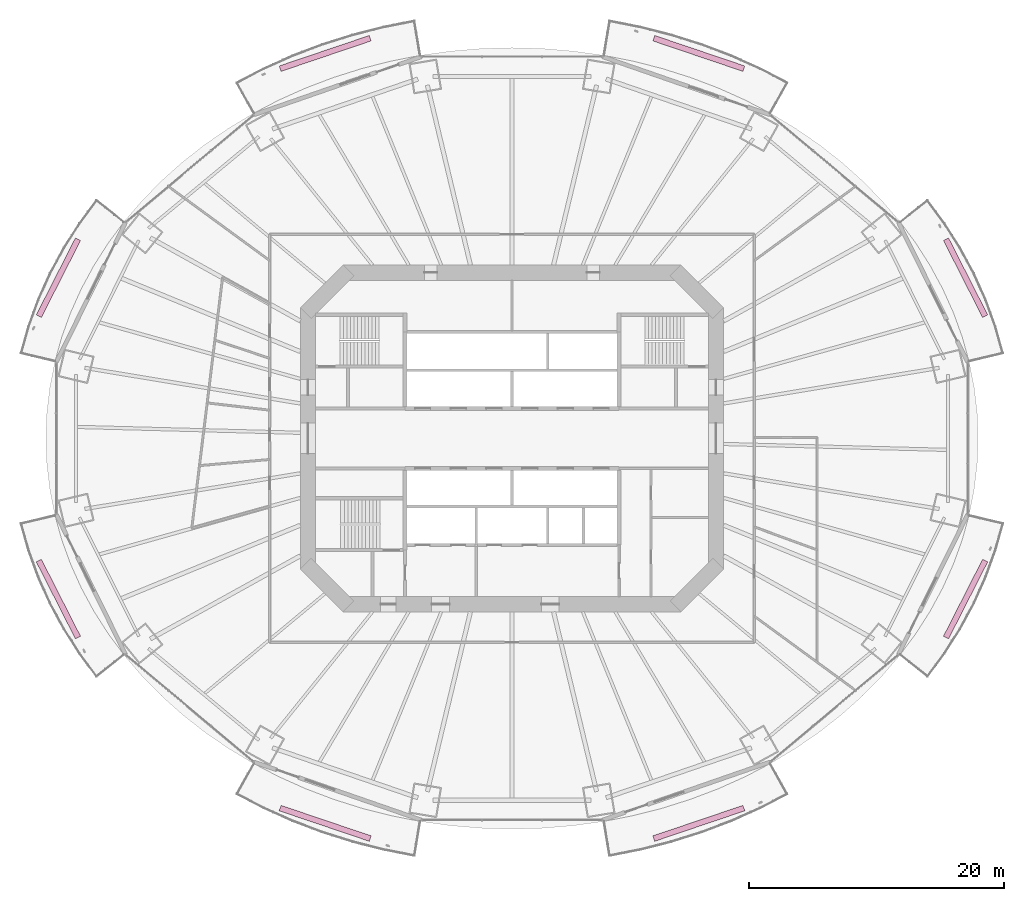
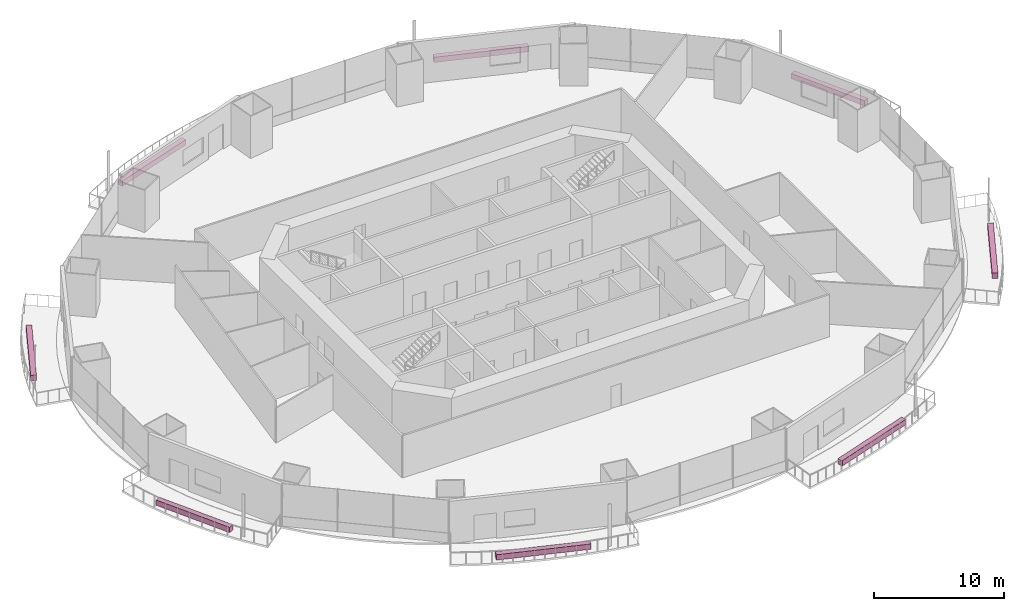
# One storey, part 23 of 23: 8 furnishings.
"""IFC4 building model written with IfcOpenShell, lengths in metres."""

from ifc_helpers import new_model, si_unit, direction, frame, origin, origin_2d, place, context, subcontext, project, spatial, rectangle, extrude, material, type_object, element, save


model = new_model("IFC4")

# Units and contexts
model_context = context("Model", 3, precision=1e-05, world=origin(), true_north=direction((0.0, 1.0)))
body_context = subcontext(model_context, "Body", "Model", "MODEL_VIEW")
ifc_project = project(units=[si_unit("LENGTHUNIT", "METRE"), si_unit("AREAUNIT", "SQUARE_METRE"), si_unit("VOLUMEUNIT", "CUBIC_METRE"), si_unit("PLANEANGLEUNIT", "RADIAN"), si_unit("MASSUNIT", "GRAM", prefix="KILO")], contexts=[model_context])

# Site, building, storey
site_placement = place(None, origin())
site = spatial("IfcSite", under=ifc_project, at=site_placement, CompositionType="ELEMENT")
building_placement = place(site_placement, origin())
building = spatial("IfcBuilding", under=site, at=building_placement, Name="Marenthal Gate Tower", CompositionType="ELEMENT")
storey_placement = place(building_placement, frame((0.0, 0.0, 45.449951171875)))
storey = spatial("IfcBuildingStorey", under=building, at=storey_placement, Name="L07", CompositionType="ELEMENT", Elevation=45.449951171875)

# Furnishings
ifc_material = material(Name="Planting soil and foliage", Category="planting")
furnishing_element_type = type_object("IfcFurnishingElementType", Name="Balcony PLANTER trough", material=ifc_material)
furnishing_1_placement = place(storey_placement, frame((35.56787109375, 12.59912109375, -0.0400390625), z_axis=(0.0, 0.0, 1.0), x_axis=(-0.453475609926, 0.891268686313, 0.0)))
element("IfcFurnishingElement", 1, at=furnishing_1_placement, inside=storey, type_object=furnishing_element_type, Name="Balcony PLANTER L07 bay 1", ObjectType="PLANTER", context=body_context, shape_type="SweptSolid", body=[
    extrude(rectangle(XDim=6.7705078125, YDim=0.449951171875, at=origin_2d()), origin(), (0.0, 0.0, 1.0), 0.5),
])
for number, where, z_axis, x_axis, name in (
    (2, (14.650390625, 30.185546875, -0.0400390625), (0.0, 0.0, 1.0), (-0.947271273085, 0.320432731142, 0.0), "Balcony PLANTER L07 bay 3"),
    (3, (-14.650390625, 30.185546875, -0.0400390625), (0.0, 0.0, 1.0), (-0.947271273085, -0.320432731142, 0.0), "Balcony PLANTER L07 bay 5"),
):
    element("IfcFurnishingElement", number, at=place(storey_placement, frame(where, z_axis=z_axis, x_axis=x_axis)), inside=storey, type_object=furnishing_element_type, Name=name, ObjectType="PLANTER", context=body_context, shape_type="SweptSolid", body=[
        extrude(rectangle(XDim=7.455810546875, YDim=0.449951171875, at=origin_2d()), origin(), (0.0, 0.0, 1.0), 0.5),
    ])
for number, where, z_axis, x_axis, name in (
    (4, (-35.56787109375, 12.59912109375, -0.0400390625), (0.0, 0.0, 1.0), (-0.453475609926, -0.891268686313, 0.0), "Balcony PLANTER L07 bay 7"),
    (5, (-35.56787109375, -12.59912109375, -0.0400390625), (0.0, 0.0, 1.0), (0.453475609926, -0.891268686313, 0.0), "Balcony PLANTER L07 bay 9"),
):
    element("IfcFurnishingElement", number, at=place(storey_placement, frame(where, z_axis=z_axis, x_axis=x_axis)), inside=storey, type_object=furnishing_element_type, Name=name, ObjectType="PLANTER", context=body_context, shape_type="SweptSolid", body=[
        extrude(rectangle(XDim=6.7705078125, YDim=0.449951171875, at=origin_2d()), origin(), (0.0, 0.0, 1.0), 0.5),
    ])
for number, where, z_axis, x_axis, name in (
    (6, (-14.650390625, -30.185546875, -0.0400390625), (0.0, 0.0, 1.0), (0.947271273085, -0.320432731142, 0.0), "Balcony PLANTER L07 bay 11"),
    (7, (14.650390625, -30.185546875, -0.0400390625), (0.0, 0.0, 1.0), (0.947271273085, 0.320432731142, 0.0), "Balcony PLANTER L07 bay 13"),
):
    element("IfcFurnishingElement", number, at=place(storey_placement, frame(where, z_axis=z_axis, x_axis=x_axis)), inside=storey, type_object=furnishing_element_type, Name=name, ObjectType="PLANTER", context=body_context, shape_type="SweptSolid", body=[
        extrude(rectangle(XDim=7.455810546875, YDim=0.449951171875, at=origin_2d()), origin(), (0.0, 0.0, 1.0), 0.5),
    ])
furnishing_2_placement = place(storey_placement, frame((35.56787109375, -12.59912109375, -0.0400390625), z_axis=(0.0, 0.0, 1.0), x_axis=(0.453475609926, 0.891268686313, 0.0)))
element("IfcFurnishingElement", 8, at=furnishing_2_placement, inside=storey, type_object=furnishing_element_type, Name="Balcony PLANTER L07 bay 15", ObjectType="PLANTER", context=body_context, shape_type="SweptSolid", body=[
    extrude(rectangle(XDim=6.7705078125, YDim=0.449951171875, at=origin_2d()), origin(), (0.0, 0.0, 1.0), 0.5),
])

save(model, "model.ifc")
